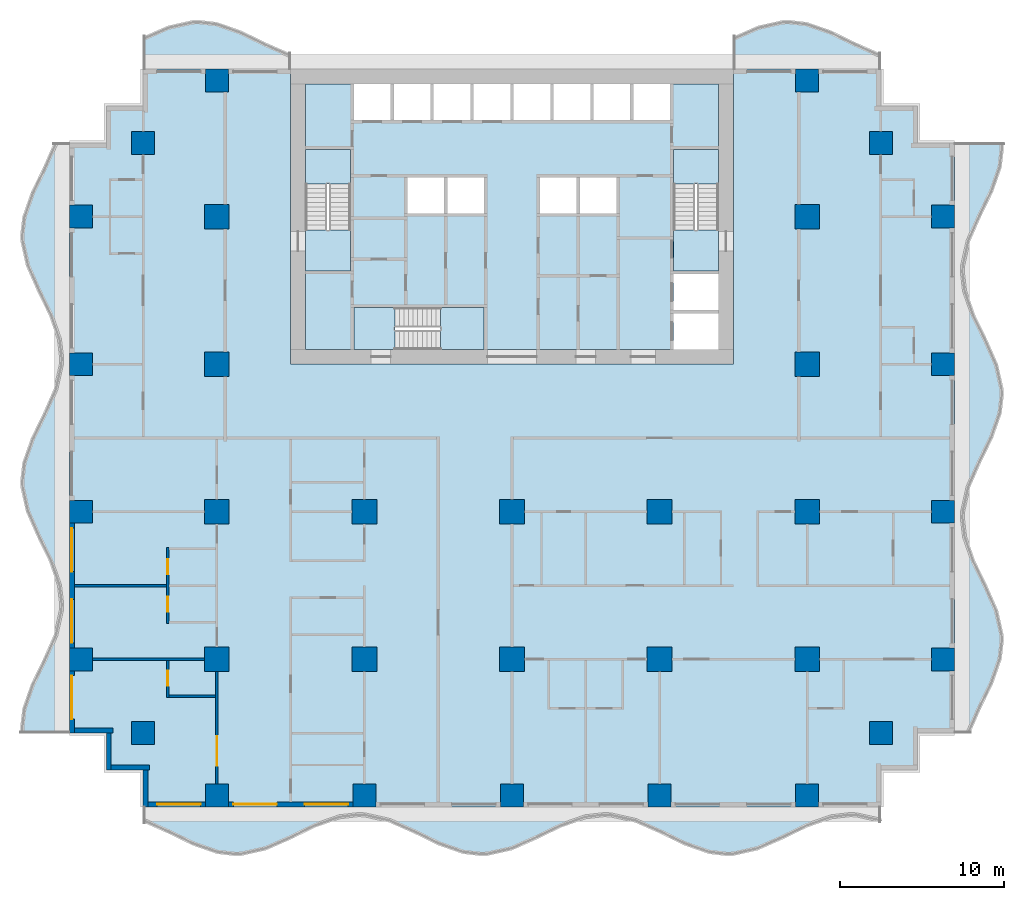
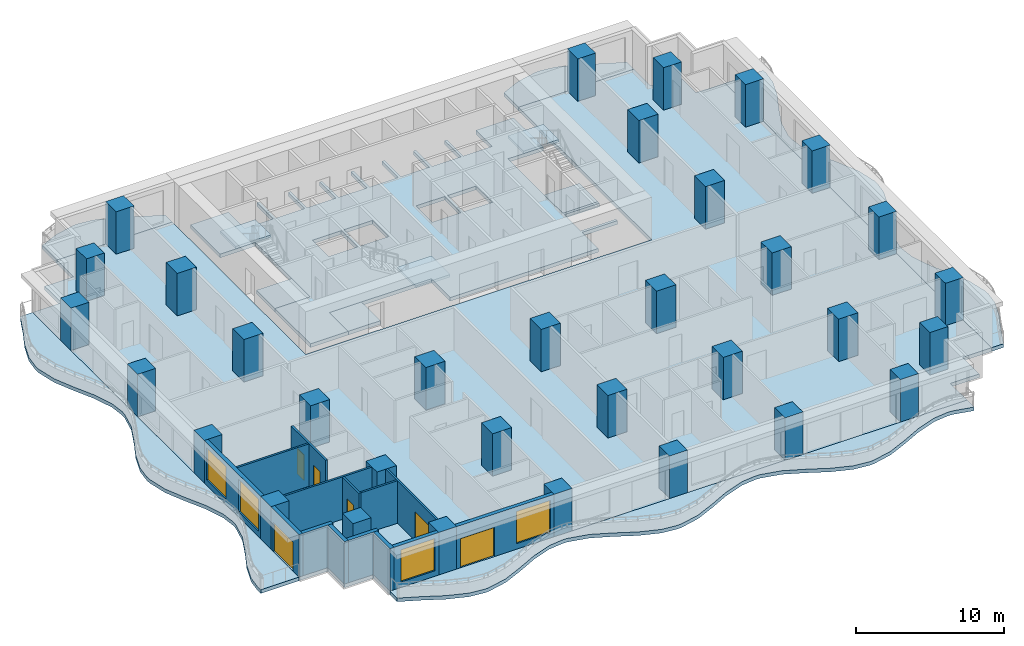
# One storey, part 1 of 14: 33 columns, 14 walls, 13 slabs, 6 doors, 4 windows, 10 openings, 3 elements without a shape of their own.
"""IFC4 building model written with IfcOpenShell, lengths in metres."""

from ifc_helpers import new_model, si_unit, direction, frame, frame_2d, origin, origin_2d, place, context, subcontext, project, spatial, polyline, rectangle, outline, extrude, material, layer, layer_set, material_profile, profile_set, type_object, element, fill, aggregate, save


model = new_model("IFC4")

# Units and contexts
model_context = context("Model", 3, precision=1e-05, world=origin(), true_north=direction((0.0, 1.0)))
body_context = subcontext(model_context, "Body", "Model", "MODEL_VIEW")
ifc_project = project(units=[si_unit("LENGTHUNIT", "METRE"), si_unit("AREAUNIT", "SQUARE_METRE"), si_unit("VOLUMEUNIT", "CUBIC_METRE"), si_unit("PLANEANGLEUNIT", "RADIAN"), si_unit("MASSUNIT", "GRAM", prefix="KILO")], contexts=[model_context])

# Site, building, storey
site_placement = place(None, origin())
site = spatial("IfcSite", under=ifc_project, at=site_placement, CompositionType="ELEMENT")
building_placement = place(site_placement, origin())
building = spatial("IfcBuilding", under=site, at=building_placement, Name="Orbiselva Terraces", CompositionType="ELEMENT")
storey_placement = place(building_placement, frame((0.0, 0.0, 41.6)))
storey = spatial("IfcBuildingStorey", under=building, at=storey_placement, Name="L10", CompositionType="ELEMENT", Elevation=41.6)

# Columns
ifc_material_1 = material(Name="Concrete C80/95", Category="concrete")
ifc_material_profile_1 = material_profile(ifc_material_1, rectangle(XDim=1.5, YDim=1.5, at=origin_2d()), Name="RC 1500x1500")
ifc_profile_set_1 = profile_set([ifc_material_profile_1], Name="Concrete C80/95")
column_type_1 = type_object("IfcColumnType", Name="COLUMN RC 1500x1500", PredefinedType="COLUMN", material=ifc_profile_set_1)
for number, where, z_axis, x_axis, name in (
    (1, (-18.0, -13.5, 0.0), (0.0, 0.0, 1.0), (1.0, 0.0, 0.0), "Column L10-01"),
    (2, (-18.0, -4.5, 0.0), (0.0, 0.0, 1.0), (1.0, 0.0, 0.0), "Column L10-03"),
    (3, (-18.0, 13.5, 0.0), (0.0, 0.0, 1.0), (1.0, 0.0, 0.0), "Column L10-04"),
    (4, (-18.0, 4.5, 0.0), (0.0, 0.0, 1.0), (1.0, 0.0, 0.0), "Column L10-06"),
    (5, (-9.0, -13.5, 0.0), (0.0, 0.0, 1.0), (1.0, 0.0, 0.0), "Column L10-13"),
    (6, (-9.0, -4.5, 0.0), (0.0, 0.0, 1.0), (1.0, 0.0, 0.0), "Column L10-15"),
    (7, (0.0, -13.5, 0.0), (0.0, 0.0, 1.0), (1.0, 0.0, 0.0), "Column L10-16"),
    (8, (0.0, -4.5, 0.0), (0.0, 0.0, 1.0), (1.0, 0.0, 0.0), "Column L10-18"),
    (9, (18.0, -13.5, 0.0), (0.0, 0.0, 1.0), (1.0, 0.0, 0.0), "Column L10-19"),
    (10, (18.0, -4.5, 0.0), (0.0, 0.0, 1.0), (1.0, 0.0, 0.0), "Column L10-21"),
    (11, (18.0, 13.5, 0.0), (0.0, 0.0, 1.0), (1.0, 0.0, 0.0), "Column L10-22"),
    (12, (18.0, 4.5, 0.0), (0.0, 0.0, 1.0), (1.0, 0.0, 0.0), "Column L10-24"),
    (13, (9.0, -13.5, 0.0), (0.0, 0.0, 1.0), (1.0, 0.0, 0.0), "Column L10-31"),
    (14, (9.0, -4.5, 0.0), (0.0, 0.0, 1.0), (1.0, 0.0, 0.0), "Column L10-33"),
):
    element("IfcColumn", number, at=place(storey_placement, frame(where, z_axis=z_axis, x_axis=x_axis)), inside=storey, type_object=column_type_1, Name=name, PredefinedType="COLUMN", context=body_context, shape_type="SweptSolid", body=[
        extrude(rectangle(XDim=1.5, YDim=1.5, at=origin_2d()), origin(), (0.0, 0.0, 1.0), 3.5),
    ])
ifc_material_2 = material(Name="Concrete C70/85", Category="concrete")
ifc_material_profile_2 = material_profile(ifc_material_2, rectangle(XDim=1.4, YDim=1.4, at=origin_2d()), Name="RC 1400x1400")
ifc_profile_set_2 = profile_set([ifc_material_profile_2], Name="Concrete C70/85")
column_type_2 = type_object("IfcColumnType", Name="PERIMETER COLUMN RC 1400x1400", PredefinedType="COLUMN", material=ifc_profile_set_2)
for number, where, z_axis, x_axis, name in (
    (15, (-18.0, -21.8, 0.0), (0.0, 0.0, 1.0), (1.0, 0.0, 0.0), "Column L10-02"),
    (16, (-18.0, 21.8, 0.0), (0.0, 0.0, 1.0), (1.0, 0.0, 0.0), "Column L10-05"),
    (17, (-26.3, -13.5, 0.0), (0.0, 0.0, 1.0), (1.0, 0.0, 0.0), "Column L10-07"),
    (18, (-22.5, -18.0, 0.0), (0.0, 0.0, 1.0), (1.0, 0.0, 0.0), "Column L10-08"),
    (19, (-26.3, -4.5, 0.0), (0.0, 0.0, 1.0), (1.0, 0.0, 0.0), "Column L10-09"),
    (20, (-26.3, 13.5, 0.0), (0.0, 0.0, 1.0), (1.0, 0.0, 0.0), "Column L10-10"),
    (21, (-22.5, 18.0, 0.0), (0.0, 0.0, 1.0), (1.0, 0.0, 0.0), "Column L10-11"),
    (22, (-26.3, 4.5, 0.0), (0.0, 0.0, 1.0), (1.0, 0.0, 0.0), "Column L10-12"),
    (23, (-9.0, -21.8, 0.0), (0.0, 0.0, 1.0), (1.0, 0.0, 0.0), "Column L10-14"),
    (24, (0.0, -21.8, 0.0), (0.0, 0.0, 1.0), (1.0, 0.0, 0.0), "Column L10-17"),
    (25, (18.0, -21.8, 0.0), (0.0, 0.0, 1.0), (1.0, 0.0, 0.0), "Column L10-20"),
    (26, (18.0, 21.8, 0.0), (0.0, 0.0, 1.0), (1.0, 0.0, 0.0), "Column L10-23"),
    (27, (26.3, -13.5, 0.0), (0.0, 0.0, 1.0), (1.0, 0.0, 0.0), "Column L10-25"),
    (28, (22.5, -18.0, 0.0), (0.0, 0.0, 1.0), (1.0, 0.0, 0.0), "Column L10-26"),
    (29, (26.3, -4.5, 0.0), (0.0, 0.0, 1.0), (1.0, 0.0, 0.0), "Column L10-27"),
    (30, (26.3, 13.5, 0.0), (0.0, 0.0, 1.0), (1.0, 0.0, 0.0), "Column L10-28"),
    (31, (22.5, 18.0, 0.0), (0.0, 0.0, 1.0), (1.0, 0.0, 0.0), "Column L10-29"),
    (32, (26.3, 4.5, 0.0), (0.0, 0.0, 1.0), (1.0, 0.0, 0.0), "Column L10-30"),
    (33, (9.0, -21.8, 0.0), (0.0, 0.0, 1.0), (1.0, 0.0, 0.0), "Column L10-32"),
):
    element("IfcColumn", number, at=place(storey_placement, frame(where, z_axis=z_axis, x_axis=x_axis)), inside=storey, type_object=column_type_2, Name=name, PredefinedType="COLUMN", context=body_context, shape_type="SweptSolid", body=[
        extrude(rectangle(XDim=1.4, YDim=1.4, at=origin_2d()), origin(), (0.0, 0.0, 1.0), 3.5),
    ])

# Slabs
ifc_material_3 = material(Name="Concrete C40/50", Category="concrete")
ifc_layer_1 = layer(ifc_material_3, 0.3)
ifc_layer_set_1 = layer_set([ifc_layer_1], Name="Concrete C40/50")
slab_type_1 = type_object("IfcSlabType", Name="CORE-SLAB-FLOOR-300", PredefinedType="FLOOR", material=ifc_layer_set_1)
slab_1_placement = place(storey_placement, frame((0.0, 0.0, -0.3)))
element("IfcSlab", 34, at=slab_1_placement, inside=storey, type_object=slab_type_1, Name="L10 S1 floor landing", PredefinedType="FLOOR", context=body_context, shape_type="SweptSolid", body=[
    extrude(outline(polyline([(-12.6, 12.7), (-9.85, 12.7), (-9.85, 10.2), (-12.6, 10.2), (-12.6, 12.7)])), origin(), (0.0, 0.0, 1.0), 0.3),
])
slab_2_placement = place(storey_placement, frame((0.0, 0.0, -0.3)))
element("IfcSlab", 35, at=slab_2_placement, inside=storey, type_object=slab_type_1, Name="L10 S2 floor landing", PredefinedType="FLOOR", context=body_context, shape_type="SweptSolid", body=[
    extrude(outline(polyline([(12.6, 12.7), (12.6, 10.2), (9.85, 10.2), (9.85, 12.7), (12.6, 12.7)])), origin(), (0.0, 0.0, 1.0), 0.3),
])
slab_3_placement = place(storey_placement, frame((0.0, 0.0, -0.3)))
element("IfcSlab", 36, at=slab_3_placement, inside=storey, type_object=slab_type_1, Name="L10 S3 floor landing", PredefinedType="FLOOR", context=body_context, shape_type="SweptSolid", body=[
    extrude(outline(polyline([(-7.15, 5.4), (-9.65, 5.4), (-9.65, 7.95), (-7.15, 7.95), (-7.15, 5.4)])), origin(), (0.0, 0.0, 1.0), 0.3),
])
slab_4_placement = place(storey_placement, frame((0.0, 0.0, -0.3)))
element("IfcSlab", 37, at=slab_4_placement, inside=storey, type_object=slab_type_1, Name="L10 core floor slab 1", PredefinedType="FLOOR", context=body_context, shape_type="SweptSolid", body=[
    extrude(outline(polyline([(-1.7, 5.4), (-1.7, 7.95), (-9.65, 7.95), (-9.65, 5.4), (-12.6, 5.4), (-12.6, 10.2), (-9.85, 10.2), (-9.85, 17.6), (-12.6, 17.6), (-12.6, 21.6), (-9.65, 21.6), (-9.65, 19.4), (-7.4125, 19.4), (-7.4125, 21.6), (-7.2125, 21.6), (-7.2125, 19.4), (-4.975, 19.4), (-4.975, 21.6), (-4.775, 21.6), (-4.775, 19.4), (-2.5375, 19.4), (-2.5375, 21.6), (-2.3375, 21.6), (-2.3375, 19.4), (-0.1, 19.4), (-0.1, 21.6), (0.1, 21.6), (0.1, 19.4), (2.3375, 19.4), (2.3375, 21.6), (2.5375, 21.6), (2.5375, 19.4), (4.775, 19.4), (4.775, 21.6), (4.975, 21.6), (4.975, 19.4), (7.2125, 19.4), (7.2125, 21.6), (7.4125, 21.6), (7.4125, 19.4), (9.65, 19.4), (9.65, 21.6), (12.6, 21.6), (12.6, 17.6), (9.85, 17.6), (9.85, 10.2), (12.6, 10.2), (12.6, 10.0), (9.85, 10.0), (9.85, 7.8), (12.6, 7.8), (12.6, 7.6), (9.85, 7.6), (9.85, 5.4), (-1.7, 5.4)]), holes=[polyline([(-4.1375, 13.7), (-4.1375, 15.9), (-6.375, 15.9), (-6.375, 13.7), (-4.1375, 13.7)]), polyline([(-1.7, 13.7), (-1.7, 15.9), (-3.9375, 15.9), (-3.9375, 13.7), (-1.7, 13.7)]), polyline([(3.9375, 13.7), (3.9375, 15.9), (1.7, 15.9), (1.7, 13.7), (3.9375, 13.7)]), polyline([(6.375, 13.7), (6.375, 15.9), (4.1375, 15.9), (4.1375, 13.7), (6.375, 13.7)])]), origin(), (0.0, 0.0, 1.0), 0.3),
])

# Stair, slab
stair_type_1 = type_object("IfcStairType", Name="CORE-STAIR-1300", PredefinedType="HALF_TURN_STAIR", material=ifc_material_3)
stair_1_placement = place(storey_placement, origin())
stair_1 = element("IfcStair", 38, at=stair_1_placement, inside=storey, type_object=stair_type_1, Name="L10 Exit Stair S1", PredefinedType="HALF_TURN_STAIR")
ifc_layer_2 = layer(ifc_material_3, 0.2)
ifc_layer_set_2 = layer_set([ifc_layer_2], Name="Concrete C40/50")
slab_type_2 = type_object("IfcSlabType", Name="CORE-STAIR-LANDING-200", PredefinedType="LANDING", material=ifc_layer_set_2)
slab_5_placement = place(storey_placement, frame((0.0, 0.0, 1.7)))
slab_5 = element("IfcSlab", 39, at=slab_5_placement, type_object=slab_type_2, Name="S1 landing 1", PredefinedType="LANDING", context=body_context, shape_type="SweptSolid", body=[
    extrude(outline(polyline([(-9.85, 15.5), (-9.85, 17.6), (-12.6, 17.6), (-12.6, 15.5), (-9.85, 15.5)])), origin(), (0.0, 0.0, 1.0), 0.2),
])
aggregate(stair_1, [slab_5])

stair_2_placement = place(storey_placement, origin())
stair_2 = element("IfcStair", 40, at=stair_2_placement, inside=storey, type_object=stair_type_1, Name="L10 Exit Stair S2", PredefinedType="HALF_TURN_STAIR")
slab_6_placement = place(storey_placement, frame((0.0, 0.0, 1.7)))
slab_6 = element("IfcSlab", 41, at=slab_6_placement, type_object=slab_type_2, Name="S2 landing 1", PredefinedType="LANDING", context=body_context, shape_type="SweptSolid", body=[
    extrude(outline(polyline([(12.6, 15.5), (12.6, 17.6), (9.85, 17.6), (9.85, 15.5), (12.6, 15.5)])), origin(), (0.0, 0.0, 1.0), 0.2),
])
aggregate(stair_2, [slab_6])

stair_type_2 = type_object("IfcStairType", Name="CORE-STAIR-1200", PredefinedType="HALF_TURN_STAIR", material=ifc_material_3)
stair_3_placement = place(storey_placement, origin())
stair_3 = element("IfcStair", 42, at=stair_3_placement, inside=storey, type_object=stair_type_2, Name="L10 Exit Stair S3", PredefinedType="HALF_TURN_STAIR")
slab_7_placement = place(storey_placement, frame((0.0, 0.0, 1.7)))
slab_7 = element("IfcSlab", 43, at=slab_7_placement, type_object=slab_type_2, Name="S3 landing 1", PredefinedType="LANDING", context=body_context, shape_type="SweptSolid", body=[
    extrude(outline(polyline([(-4.35, 5.4), (-1.7, 5.4), (-1.7, 7.95), (-4.35, 7.95), (-4.35, 5.4)])), origin(), (0.0, 0.0, 1.0), 0.2),
])
aggregate(stair_3, [slab_7])

# Slabs
ifc_material_4 = material(Name="Concrete C50/60", Category="concrete")
ifc_layer_3 = layer(ifc_material_4, 0.3)
ifc_layer_set_3 = layer_set([ifc_layer_3], Name="Concrete C50/60")
slab_type_3 = type_object("IfcSlabType", Name="ENV-BALCONY-SLAB-300", PredefinedType="FLOOR", material=ifc_layer_set_3)
slab_8_placement = place(storey_placement, frame((0.0, 0.0, -0.3)))
element("IfcSlab", 44, at=slab_8_placement, inside=storey, type_object=slab_type_3, Name="Balcony slab L10 S", PredefinedType="FLOOR", context=body_context, shape_type="SweptSolid", body=[
    extrude(outline(polyline([(-22.5, -23.451472), (-21.0, -24.112279), (-19.5, -24.844789), (-18.0, -25.369208), (-16.875, -25.5), (-16.5, -25.485226), (-15.0, -25.148528), (-13.5, -24.487721), (-12.0, -23.755211), (-10.5, -23.230792), (-9.375, -23.1), (-9.0, -23.114774), (-7.5, -23.451472), (-6.0, -24.112279), (-4.5, -24.844789), (-3.0, -25.369208), (-1.875, -25.5), (-1.5, -25.485226), (0.0, -25.148528), (1.5, -24.487721), (3.0, -23.755211), (4.5, -23.230792), (5.625, -23.1), (6.0, -23.114774), (7.5, -23.451472), (9.0, -24.112279), (10.5, -24.844789), (12.0, -25.369208), (13.125, -25.5), (13.5, -25.485226), (15.0, -25.148528), (16.5, -24.487721), (18.0, -23.755211), (19.5, -23.230792), (20.625, -23.1), (21.0, -23.114774), (22.5, -23.451472), (22.5, -22.5), (-22.5, -22.5), (-22.5, -23.451472)])), origin(), (0.0, 0.0, 1.0), 0.3),
])
slab_9_placement = place(storey_placement, frame((0.0, 0.0, -0.3)))
element("IfcSlab", 45, at=slab_9_placement, inside=storey, type_object=slab_type_3, Name="Balcony slab L10 E", PredefinedType="FLOOR", context=body_context, shape_type="SweptSolid", body=[
    extrude(outline(polyline([(27.951472, -18.0), (28.612279, -16.5), (29.344789, -15.0), (29.869208, -13.5), (30.0, -12.375), (29.985226, -12.0), (29.648528, -10.5), (28.987721, -9.0), (28.255211, -7.5), (27.730792, -6.0), (27.6, -4.875), (27.614774, -4.5), (27.951472, -3.0), (28.612279, -1.5), (29.344789, 0.0), (29.869208, 1.5), (30.0, 2.625), (29.985226, 3.0), (29.648528, 4.5), (28.987721, 6.0), (28.255211, 7.5), (27.730792, 9.0), (27.6, 10.125), (27.614774, 10.5), (27.951472, 12.0), (28.612279, 13.5), (29.344789, 15.0), (29.869208, 16.5), (30.0, 17.625), (29.985226, 18.0), (27.0, 18.0), (27.0, -18.0), (27.951472, -18.0)])), origin(), (0.0, 0.0, 1.0), 0.3),
])
slab_10_placement = place(storey_placement, frame((0.0, 0.0, -0.3)))
element("IfcSlab", 46, at=slab_10_placement, inside=storey, type_object=slab_type_3, Name="Balcony slab L10 NE", PredefinedType="FLOOR", context=body_context, shape_type="SweptSolid", body=[
    extrude(outline(polyline([(22.5, 23.451472), (21.0, 24.112279), (19.5, 24.844789), (18.0, 25.369208), (16.875, 25.5), (16.5, 25.485226), (15.0, 25.148528), (13.5, 24.487721), (13.5, 22.5), (22.5, 22.5), (22.5, 23.451472)])), origin(), (0.0, 0.0, 1.0), 0.3),
])
slab_11_placement = place(storey_placement, frame((0.0, 0.0, -0.3)))
element("IfcSlab", 47, at=slab_11_placement, inside=storey, type_object=slab_type_3, Name="Balcony slab L10 NW", PredefinedType="FLOOR", context=body_context, shape_type="SweptSolid", body=[
    extrude(outline(polyline([(-13.5, 23.451472), (-15.0, 24.112279), (-16.5, 24.844789), (-18.0, 25.369208), (-19.125, 25.5), (-19.5, 25.485226), (-21.0, 25.148528), (-22.5, 24.487721), (-22.5, 22.5), (-13.5, 22.5), (-13.5, 23.451472)])), origin(), (0.0, 0.0, 1.0), 0.3),
])
slab_12_placement = place(storey_placement, frame((0.0, 0.0, -0.3)))
element("IfcSlab", 48, at=slab_12_placement, inside=storey, type_object=slab_type_3, Name="Balcony slab L10 W", PredefinedType="FLOOR", context=body_context, shape_type="SweptSolid", body=[
    extrude(outline(polyline([(-27.951472, 18.0), (-28.612279, 16.5), (-29.344789, 15.0), (-29.869208, 13.5), (-30.0, 12.375), (-29.985226, 12.0), (-29.648528, 10.5), (-28.987721, 9.0), (-28.255211, 7.5), (-27.730792, 6.0), (-27.6, 4.875), (-27.614774, 4.5), (-27.951472, 3.0), (-28.612279, 1.5), (-29.344789, 0.0), (-29.869208, -1.5), (-30.0, -2.625), (-29.985226, -3.0), (-29.648528, -4.5), (-28.987721, -6.0), (-28.255211, -7.5), (-27.730792, -9.0), (-27.6, -10.125), (-27.614774, -10.5), (-27.951472, -12.0), (-28.612279, -13.5), (-29.344789, -15.0), (-29.869208, -16.5), (-30.0, -17.625), (-29.985226, -18.0), (-27.0, -18.0), (-27.0, 18.0), (-27.951472, 18.0)])), origin(), (0.0, 0.0, 1.0), 0.3),
])
ifc_layer_4 = layer(ifc_material_4, 0.3)
ifc_layer_set_4 = layer_set([ifc_layer_4], Name="Concrete C50/60")
slab_type_4 = type_object("IfcSlabType", Name="FLOOR SLAB 300", PredefinedType="FLOOR", material=ifc_layer_set_4)
slab_13_placement = place(storey_placement, frame((0.0, 0.0, -0.3)))
element("IfcSlab", 49, at=slab_13_placement, inside=storey, type_object=slab_type_4, Name="Floor slab L10", PredefinedType="FLOOR", context=body_context, shape_type="SweptSolid", body=[
    extrude(outline(polyline([(22.5, 22.5), (22.5, 20.25), (24.75, 20.25), (24.75, 18.0), (27.0, 18.0), (27.0, -18.0), (24.75, -18.0), (24.75, -20.25), (22.5, -20.25), (22.5, -22.5), (-22.5, -22.5), (-22.5, -20.25), (-24.75, -20.25), (-24.75, -18.0), (-27.0, -18.0), (-27.0, 18.0), (-24.75, 18.0), (-24.75, 20.25), (-22.5, 20.25), (-22.5, 22.5), (-13.5, 22.5), (-13.5, 4.5), (13.5, 4.5), (13.5, 22.5), (22.5, 22.5)])), origin(), (0.0, 0.0, 1.0), 0.3),
])

# Wall, opening, window
ifc_material_5 = material(Name="Terracotta cladding on masonry backing", Category="masonry")
ifc_layer_5 = layer(ifc_material_5, 0.3)
ifc_layer_set_5 = layer_set([ifc_layer_5], Name="Terracotta cladding on masonry backing")
wall_type_1 = type_object("IfcWallType", Name="ENV-WALL-TERRACOTTA-300", PredefinedType="SOLIDWALL", material=ifc_layer_set_5)
wall_1_placement = place(storey_placement, frame((-18.7, -22.35, 0.0), z_axis=(0.0, 0.0, 1.0), x_axis=(-1.0, 0.0, 0.0)))
wall_1 = element("IfcWall", 50, at=wall_1_placement, inside=storey, type_object=wall_type_1, Name="Facade wall L10 S", PredefinedType="SOLIDWALL", context=body_context, shape_type="SweptSolid", body=[
    extrude(rectangle(XDim=3.5, YDim=0.3, at=frame_2d((1.75, 0.0))), origin(), (0.0, 0.0, 1.0), 3.5),
])
opening_1_placement = place(wall_1_placement, frame((0.3, 0.0, 0.45)))
opening_1 = element("IfcOpeningElement", 51, at=opening_1_placement, cuts=wall_1, Name="Opening WN3", PredefinedType="OPENING", context=body_context, shape_type="SweptSolid", body=[
    extrude(rectangle(XDim=2.65, YDim=2.65, at=frame_2d((1.325, 1.325))), frame((0.0, 0.16, 0.0), z_axis=(0.0, -1.0, 0.0), x_axis=(1.0, 0.0, 0.0)), (0.0, 0.0, 1.0), 0.32),
])
ifc_material_6 = material(Name="Clear low-e glazing in aluminium frame", Category="aluminium")
window_type = type_object("IfcWindowType", Name="WINDOW 2650 X 2650 S450", PartitioningType="TRIPLE_PANEL_VERTICAL", PredefinedType="WINDOW", material=ifc_material_6)
window_1_placement = place(opening_1_placement, origin())
window_1 = element("IfcWindow", 52, at=window_1_placement, inside=storey, type_object=window_type, Name="Window L10 S", OverallHeight=2.65, OverallWidth=2.65, PartitioningType="SINGLE_PANEL", PredefinedType="WINDOW", context=body_context, shape_type="SweptSolid", body=[
    extrude(rectangle(XDim=2.65, YDim=2.65, at=frame_2d((1.325, 1.325))), frame((0.0, 0.03, 0.0), z_axis=(0.0, -1.0, 0.0), x_axis=(1.0, 0.0, 0.0)), (0.0, 0.0, 1.0), 0.06),
])
fill(opening_1, window_1)

# Wall, openings, door, window
wall_2_placement = place(storey_placement, frame((-9.7, -22.35, 0.0), z_axis=(0.0, 0.0, 1.0), x_axis=(-1.0, 0.0, 0.0)))
wall_2 = element("IfcWall", 53, at=wall_2_placement, inside=storey, type_object=wall_type_1, Name="Facade wall L10 S", PredefinedType="SOLIDWALL", context=body_context, shape_type="SweptSolid", body=[
    extrude(rectangle(XDim=7.6, YDim=0.3, at=frame_2d((3.8, 0.0))), origin(), (0.0, 0.0, 1.0), 3.5),
])
opening_2_placement = place(wall_2_placement, frame((4.65, 0.0, 0.0)))
opening_2 = element("IfcOpeningElement", 54, at=opening_2_placement, cuts=wall_2, Name="Opening Z1-C-E13", PredefinedType="OPENING", context=body_context, shape_type="SweptSolid", body=[
    extrude(rectangle(XDim=2.65, YDim=2.4, at=frame_2d((1.325, 1.2))), frame((0.0, 0.16, 0.0), z_axis=(0.0, -1.0, 0.0), x_axis=(1.0, 0.0, 0.0)), (0.0, 0.0, 1.0), 0.32),
])
opening_3_placement = place(wall_2_placement, frame((0.3, 0.0, 0.45)))
opening_3 = element("IfcOpeningElement", 55, at=opening_3_placement, cuts=wall_2, Name="Opening WN3", PredefinedType="OPENING", context=body_context, shape_type="SweptSolid", body=[
    extrude(rectangle(XDim=2.65, YDim=2.65, at=frame_2d((1.325, 1.325))), frame((0.0, 0.16, 0.0), z_axis=(0.0, -1.0, 0.0), x_axis=(1.0, 0.0, 0.0)), (0.0, 0.0, 1.0), 0.32),
])
door_type_1 = type_object("IfcDoorType", Name="BALCONY DOOR 2650 X 2400", OperationType="DOUBLE_DOOR_SLIDING", PredefinedType="DOOR", material=ifc_material_6)
door_1_placement = place(opening_2_placement, origin())
door_1 = element("IfcDoor", 56, at=door_1_placement, inside=storey, type_object=door_type_1, Name="Z1-C-E13", OperationType="SINGLE_SWING_LEFT", OverallHeight=2.4, OverallWidth=2.65, PredefinedType="DOOR", context=body_context, shape_type="SweptSolid", body=[
    extrude(rectangle(XDim=2.65, YDim=2.4, at=frame_2d((1.325, 1.2))), frame((0.0, 0.025, 0.0), z_axis=(0.0, -1.0, 0.0), x_axis=(1.0, 0.0, 0.0)), (0.0, 0.0, 1.0), 0.05),
])
fill(opening_2, door_1)
window_2_placement = place(opening_3_placement, origin())
window_2 = element("IfcWindow", 57, at=window_2_placement, inside=storey, type_object=window_type, Name="Window L10 S", OverallHeight=2.65, OverallWidth=2.65, PartitioningType="SINGLE_PANEL", PredefinedType="WINDOW", context=body_context, shape_type="SweptSolid", body=[
    extrude(rectangle(XDim=2.65, YDim=2.65, at=frame_2d((1.325, 1.325))), frame((0.0, 0.03, 0.0), z_axis=(0.0, -1.0, 0.0), x_axis=(1.0, 0.0, 0.0)), (0.0, 0.0, 1.0), 0.06),
])
fill(opening_3, window_2)

# Wall, openings, windows
wall_3_placement = place(storey_placement, frame((-26.85, -12.8, 0.0), z_axis=(0.0, 0.0, 1.0), x_axis=(0.0, 1.0, 0.0)))
wall_3 = element("IfcWall", 58, at=wall_3_placement, inside=storey, type_object=wall_type_1, Name="Facade wall L10 W", PredefinedType="SOLIDWALL", context=body_context, shape_type="SweptSolid", body=[
    extrude(rectangle(XDim=7.6, YDim=0.3, at=frame_2d((3.8, 0.0))), origin(), (0.0, 0.0, 1.0), 3.5),
])
opening_4_placement = place(wall_3_placement, frame((4.65, 0.0, 0.45)))
opening_4 = element("IfcOpeningElement", 59, at=opening_4_placement, cuts=wall_3, Name="Opening WN3", PredefinedType="OPENING", context=body_context, shape_type="SweptSolid", body=[
    extrude(rectangle(XDim=2.65, YDim=2.65, at=frame_2d((1.325, 1.325))), frame((0.0, 0.16, 0.0), z_axis=(0.0, -1.0, 0.0), x_axis=(1.0, 0.0, 0.0)), (0.0, 0.0, 1.0), 0.32),
])
opening_5_placement = place(wall_3_placement, frame((0.3, 0.0, 0.45)))
opening_5 = element("IfcOpeningElement", 60, at=opening_5_placement, cuts=wall_3, Name="Opening WN3", PredefinedType="OPENING", context=body_context, shape_type="SweptSolid", body=[
    extrude(rectangle(XDim=2.65, YDim=2.65, at=frame_2d((1.325, 1.325))), frame((0.0, 0.16, 0.0), z_axis=(0.0, -1.0, 0.0), x_axis=(1.0, 0.0, 0.0)), (0.0, 0.0, 1.0), 0.32),
])
window_3_placement = place(opening_4_placement, origin())
window_3 = element("IfcWindow", 61, at=window_3_placement, inside=storey, type_object=window_type, Name="Window L10 W", OverallHeight=2.65, OverallWidth=2.65, PartitioningType="SINGLE_PANEL", PredefinedType="WINDOW", context=body_context, shape_type="SweptSolid", body=[
    extrude(rectangle(XDim=2.65, YDim=2.65, at=frame_2d((1.325, 1.325))), frame((0.0, 0.03, 0.0), z_axis=(0.0, -1.0, 0.0), x_axis=(1.0, 0.0, 0.0)), (0.0, 0.0, 1.0), 0.06),
])
fill(opening_4, window_3)
window_4_placement = place(opening_5_placement, origin())
window_4 = element("IfcWindow", 62, at=window_4_placement, inside=storey, type_object=window_type, Name="Window L10 W", OverallHeight=2.65, OverallWidth=2.65, PartitioningType="SINGLE_PANEL", PredefinedType="WINDOW", context=body_context, shape_type="SweptSolid", body=[
    extrude(rectangle(XDim=2.65, YDim=2.65, at=frame_2d((1.325, 1.325))), frame((0.0, 0.03, 0.0), z_axis=(0.0, -1.0, 0.0), x_axis=(1.0, 0.0, 0.0)), (0.0, 0.0, 1.0), 0.06),
])
fill(opening_5, window_4)

# Wall, opening, door
wall_4_placement = place(storey_placement, frame((-26.85, -18.0, 0.0), z_axis=(0.0, 0.0, 1.0), x_axis=(0.0, 1.0, 0.0)))
wall_4 = element("IfcWall", 63, at=wall_4_placement, inside=storey, type_object=wall_type_1, Name="Facade wall L10 W", PredefinedType="SOLIDWALL", context=body_context, shape_type="SweptSolid", body=[
    extrude(rectangle(XDim=3.8, YDim=0.3, at=frame_2d((1.9, 0.0))), origin(), (0.0, 0.0, 1.0), 3.5),
])
opening_6_placement = place(wall_4_placement, frame((0.85, 0.0, 0.0)))
opening_6 = element("IfcOpeningElement", 64, at=opening_6_placement, cuts=wall_4, Name="Opening Z1-C-E24", PredefinedType="OPENING", context=body_context, shape_type="SweptSolid", body=[
    extrude(rectangle(XDim=2.65, YDim=2.4, at=frame_2d((1.325, 1.2))), frame((0.0, 0.16, 0.0), z_axis=(0.0, -1.0, 0.0), x_axis=(1.0, 0.0, 0.0)), (0.0, 0.0, 1.0), 0.32),
])
door_2_placement = place(opening_6_placement, origin())
door_2 = element("IfcDoor", 65, at=door_2_placement, inside=storey, type_object=door_type_1, Name="Z1-C-E24", OperationType="SINGLE_SWING_LEFT", OverallHeight=2.4, OverallWidth=2.65, PredefinedType="DOOR", context=body_context, shape_type="SweptSolid", body=[
    extrude(rectangle(XDim=2.65, YDim=2.4, at=frame_2d((1.325, 1.2))), frame((0.0, 0.025, 0.0), z_axis=(0.0, -1.0, 0.0), x_axis=(1.0, 0.0, 0.0)), (0.0, 0.0, 1.0), 0.05),
])
fill(opening_6, door_2)

# Walls
wall_5_placement = place(storey_placement, frame((-24.35, -17.85, 0.0), z_axis=(0.0, 0.0, 1.0), x_axis=(-1.0, 0.0, 0.0)))
element("IfcWall", 66, at=wall_5_placement, inside=storey, type_object=wall_type_1, Name="Facade wall L10 STEP", PredefinedType="SOLIDWALL", context=body_context, shape_type="SweptSolid", body=[
    extrude(rectangle(XDim=2.35, YDim=0.3, at=frame_2d((1.175, 0.0))), origin(), (0.0, 0.0, 1.0), 3.5),
])
wall_6_placement = place(storey_placement, frame((-24.6, -20.25, 0.0), z_axis=(0.0, 0.0, 1.0), x_axis=(0.0, 1.0, 0.0)))
element("IfcWall", 67, at=wall_6_placement, inside=storey, type_object=wall_type_1, Name="Facade wall L10 STEP", PredefinedType="SOLIDWALL", context=body_context, shape_type="SweptSolid", body=[
    extrude(rectangle(XDim=2.25, YDim=0.3, at=frame_2d((1.125, 0.0))), origin(), (0.0, 0.0, 1.0), 3.5),
])
wall_7_placement = place(storey_placement, frame((-22.1, -20.1, 0.0), z_axis=(0.0, 0.0, 1.0), x_axis=(-1.0, 0.0, 0.0)))
element("IfcWall", 68, at=wall_7_placement, inside=storey, type_object=wall_type_1, Name="Facade wall L10 STEP", PredefinedType="SOLIDWALL", context=body_context, shape_type="SweptSolid", body=[
    extrude(rectangle(XDim=2.35, YDim=0.3, at=frame_2d((1.175, 0.0))), origin(), (0.0, 0.0, 1.0), 3.5),
])
wall_8_placement = place(storey_placement, frame((-22.35, -22.5, 0.0), z_axis=(0.0, 0.0, 1.0), x_axis=(0.0, 1.0, 0.0)))
element("IfcWall", 69, at=wall_8_placement, inside=storey, type_object=wall_type_1, Name="Facade wall L10 STEP", PredefinedType="SOLIDWALL", context=body_context, shape_type="SweptSolid", body=[
    extrude(rectangle(XDim=2.25, YDim=0.3, at=frame_2d((1.125, 0.0))), origin(), (0.0, 0.0, 1.0), 3.5),
])
ifc_material_7 = material(Name="Plasterboard on steel stud partition", Category="steel")
ifc_layer_6 = layer(ifc_material_7, 0.15)
ifc_layer_set_6 = layer_set([ifc_layer_6], Name="Plasterboard on steel stud partition")
wall_type_2 = type_object("IfcWallType", Name="UNIT-PARTITION-150", PredefinedType="PARTITIONING", material=ifc_layer_set_6)
wall_9_placement = place(storey_placement, frame((-20.925, -15.75, 0.0), z_axis=(0.0, 0.0, 1.0), x_axis=(1.0, 0.0, 0.0)))
element("IfcWall", 70, at=wall_9_placement, inside=storey, type_object=wall_type_2, Name="PARTITION L10-006", PredefinedType="PARTITIONING", context=body_context, shape_type="SweptSolid", body=[
    extrude(rectangle(XDim=2.85, YDim=0.15, at=frame_2d((1.425, 0.0))), origin(), (0.0, 0.0, 1.0), 3.5),
])
wall_10_placement = place(storey_placement, frame((-25.6, -13.5, 0.0), z_axis=(0.0, 0.0, 1.0), x_axis=(1.0, 0.0, 0.0)))
element("IfcWall", 71, at=wall_10_placement, inside=storey, type_object=wall_type_2, Name="PARTITION L10-007", PredefinedType="PARTITIONING", context=body_context, shape_type="SweptSolid", body=[
    extrude(rectangle(XDim=6.85, YDim=0.15, at=frame_2d((3.425, 0.0))), origin(), (0.0, 0.0, 1.0), 3.5),
])
wall_11_placement = place(storey_placement, frame((-26.7, -9.0, 0.0), z_axis=(0.0, 0.0, 1.0), x_axis=(1.0, 0.0, 0.0)))
element("IfcWall", 72, at=wall_11_placement, inside=storey, type_object=wall_type_2, Name="PARTITION L10-014", PredefinedType="PARTITIONING", context=body_context, shape_type="SweptSolid", body=[
    extrude(rectangle(XDim=5.625, YDim=0.15, at=frame_2d((2.8125, 0.0))), origin(), (0.0, 0.0, 1.0), 3.5),
])

# Wall, opening, door
wall_12_placement = place(storey_placement, frame((-21.0, -13.575, 0.0), z_axis=(0.0, 0.0, 1.0), x_axis=(0.0, -1.0, 0.0)))
wall_12 = element("IfcWall", 73, at=wall_12_placement, inside=storey, type_object=wall_type_2, Name="PARTITION L10-043", PredefinedType="PARTITIONING", context=body_context, shape_type="SweptSolid", body=[
    extrude(rectangle(XDim=2.25, YDim=0.15, at=frame_2d((1.125, 0.0))), origin(), (0.0, 0.0, 1.0), 3.5),
])
opening_7_placement = place(wall_12_placement, frame((0.625, 0.0, 0.0)))
opening_7 = element("IfcOpeningElement", 74, at=opening_7_placement, cuts=wall_12, Name="Opening Z1-C-22", PredefinedType="OPENING", context=body_context, shape_type="SweptSolid", body=[
    extrude(rectangle(XDim=0.9, YDim=2.1, at=frame_2d((0.45, 1.05))), frame((0.0, 0.085, 0.0), z_axis=(0.0, -1.0, 0.0), x_axis=(1.0, 0.0, 0.0)), (0.0, 0.0, 1.0), 0.17),
])
ifc_material_8 = material(Name="Painted timber door leaf", Category="wood")
door_type_2 = type_object("IfcDoorType", Name="BATH DOOR 900", OperationType="NOTDEFINED", PredefinedType="DOOR", material=ifc_material_8)
door_3_placement = place(opening_7_placement, origin())
door_3 = element("IfcDoor", 75, at=door_3_placement, inside=storey, type_object=door_type_2, Name="Z1-C-22", OperationType="SINGLE_SWING_LEFT", OverallHeight=2.1, OverallWidth=0.9, PredefinedType="DOOR", context=body_context, shape_type="SweptSolid", body=[
    extrude(rectangle(XDim=0.9, YDim=2.1, at=frame_2d((0.45, 1.05))), frame((0.0, 0.025, 0.0), z_axis=(0.0, -1.0, 0.0), x_axis=(1.0, 0.0, 0.0)), (0.0, 0.0, 1.0), 0.05),
])
fill(opening_7, door_3)

# Wall, openings, doors
wall_13_placement = place(storey_placement, frame((-21.0, -6.675, 0.0), z_axis=(0.0, 0.0, 1.0), x_axis=(0.0, -1.0, 0.0)))
wall_13 = element("IfcWall", 76, at=wall_13_placement, inside=storey, type_object=wall_type_2, Name="PARTITION L10-044", PredefinedType="PARTITIONING", context=body_context, shape_type="SweptSolid", body=[
    extrude(rectangle(XDim=4.65, YDim=0.15, at=frame_2d((2.325, 0.0))), origin(), (0.0, 0.0, 1.0), 3.5),
])
opening_8_placement = place(wall_13_placement, frame((3.025, 0.0, 0.0)))
opening_8 = element("IfcOpeningElement", 77, at=opening_8_placement, cuts=wall_13, Name="Opening Z1-C-24", PredefinedType="OPENING", context=body_context, shape_type="SweptSolid", body=[
    extrude(rectangle(XDim=0.9, YDim=2.1, at=frame_2d((0.45, 1.05))), frame((0.0, 0.085, 0.0), z_axis=(0.0, -1.0, 0.0), x_axis=(1.0, 0.0, 0.0)), (0.0, 0.0, 1.0), 0.17),
])
opening_9_placement = place(wall_13_placement, frame((0.725, 0.0, 0.0)))
opening_9 = element("IfcOpeningElement", 78, at=opening_9_placement, cuts=wall_13, Name="Opening Z1-C-26", PredefinedType="OPENING", context=body_context, shape_type="SweptSolid", body=[
    extrude(rectangle(XDim=0.9, YDim=2.1, at=frame_2d((0.45, 1.05))), frame((0.0, 0.085, 0.0), z_axis=(0.0, -1.0, 0.0), x_axis=(1.0, 0.0, 0.0)), (0.0, 0.0, 1.0), 0.17),
])
door_4_placement = place(opening_8_placement, origin())
door_4 = element("IfcDoor", 79, at=door_4_placement, inside=storey, type_object=door_type_2, Name="Z1-C-24", OperationType="SINGLE_SWING_RIGHT", OverallHeight=2.1, OverallWidth=0.9, PredefinedType="DOOR", context=body_context, shape_type="SweptSolid", body=[
    extrude(rectangle(XDim=0.9, YDim=2.1, at=frame_2d((0.45, 1.05))), frame((0.0, 0.025, 0.0), z_axis=(0.0, -1.0, 0.0), x_axis=(1.0, 0.0, 0.0)), (0.0, 0.0, 1.0), 0.05),
])
fill(opening_8, door_4)
door_5_placement = place(opening_9_placement, origin())
door_5 = element("IfcDoor", 80, at=door_5_placement, inside=storey, type_object=door_type_2, Name="Z1-C-26", OperationType="SINGLE_SWING_LEFT", OverallHeight=2.1, OverallWidth=0.9, PredefinedType="DOOR", context=body_context, shape_type="SweptSolid", body=[
    extrude(rectangle(XDim=0.9, YDim=2.1, at=frame_2d((0.45, 1.05))), frame((0.0, 0.025, 0.0), z_axis=(0.0, -1.0, 0.0), x_axis=(1.0, 0.0, 0.0)), (0.0, 0.0, 1.0), 0.05),
])
fill(opening_9, door_5)

# Wall, opening, door
wall_14_placement = place(storey_placement, frame((-18.0, -21.1, 0.0), z_axis=(0.0, 0.0, 1.0), x_axis=(0.0, 1.0, 0.0)))
wall_14 = element("IfcWall", 81, at=wall_14_placement, inside=storey, type_object=wall_type_2, Name="PARTITION L10-045", PredefinedType="PARTITIONING", context=body_context, shape_type="SweptSolid", body=[
    extrude(rectangle(XDim=6.85, YDim=0.15, at=frame_2d((3.425, 0.0))), origin(), (0.0, 0.0, 1.0), 3.5),
])
opening_10_placement = place(wall_14_placement, frame((1.1, 0.0, 0.0)))
opening_10 = element("IfcOpeningElement", 82, at=opening_10_placement, cuts=wall_14, Name="Opening Z1-C-21", PredefinedType="OPENING", context=body_context, shape_type="SweptSolid", body=[
    extrude(rectangle(XDim=1.8, YDim=2.4, at=frame_2d((0.9, 1.2))), frame((0.0, 0.085, 0.0), z_axis=(0.0, -1.0, 0.0), x_axis=(1.0, 0.0, 0.0)), (0.0, 0.0, 1.0), 0.17),
])
door_type_3 = type_object("IfcDoorType", Name="DOUBLE DOOR 1800", OperationType="NOTDEFINED", PredefinedType="DOOR", material=ifc_material_8)
door_6_placement = place(opening_10_placement, origin())
door_6 = element("IfcDoor", 83, at=door_6_placement, inside=storey, type_object=door_type_3, Name="Z1-C-21", OperationType="DOUBLE_DOOR_SINGLE_SWING", OverallHeight=2.4, OverallWidth=1.8, PredefinedType="DOOR", context=body_context, shape_type="SweptSolid", body=[
    extrude(rectangle(XDim=1.8, YDim=2.4, at=frame_2d((0.9, 1.2))), frame((0.0, 0.025, 0.0), z_axis=(0.0, -1.0, 0.0), x_axis=(1.0, 0.0, 0.0)), (0.0, 0.0, 1.0), 0.05),
])
fill(opening_10, door_6)

save(model, "model.ifc")
